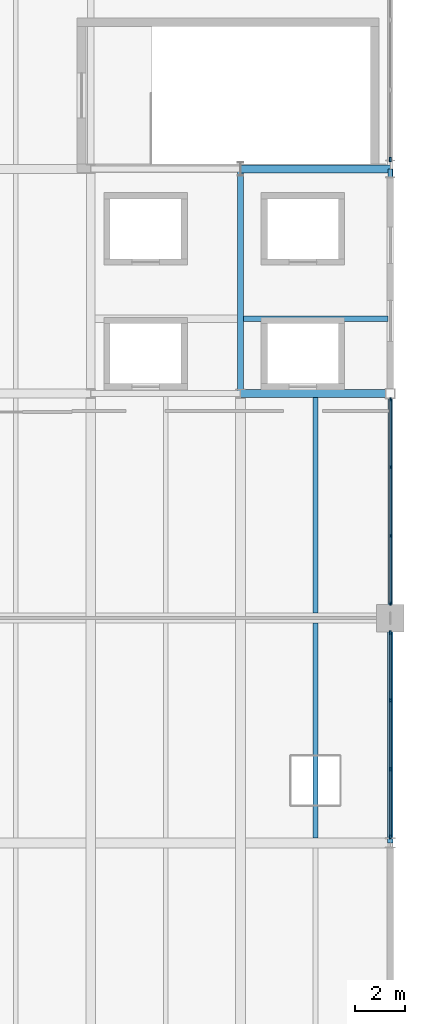
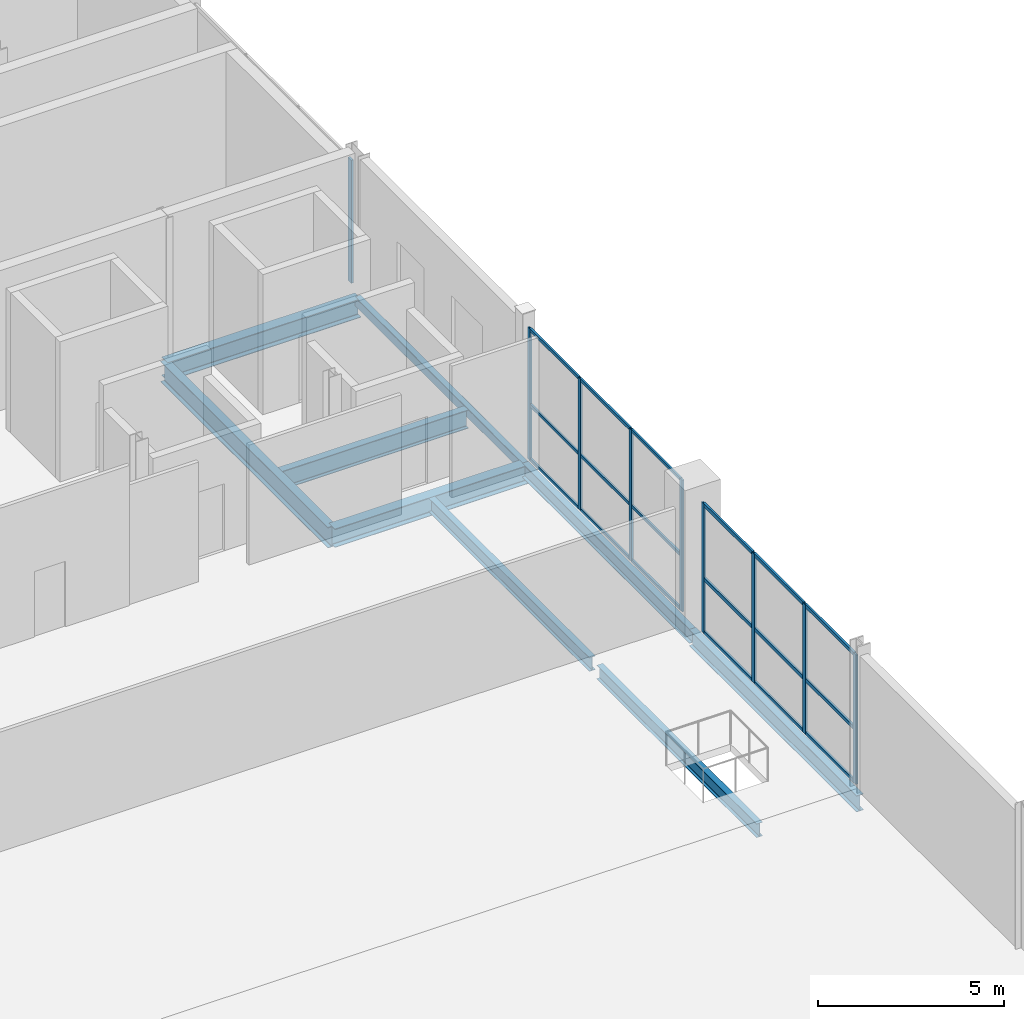
# One storey, part 16 of 29: 27 members, 9 beams, 3 elements without a shape of their own.
"""IFC4 building model written with IfcOpenShell, lengths in metres."""

from ifc_helpers import new_model, si_unit, direction, frame, origin, origin_2d, place, context, subcontext, project, spatial, rectangle, hollow_rectangle, i_section, extrude, material, layer, layer_set, material_profile, profile_set, type_object, element, aggregate, save


model = new_model("IFC4")

# Units and contexts
model_context = context("Model", 3, precision=1e-05, world=origin(), true_north=direction((0.0, 1.0)))
body_context = subcontext(model_context, "Body", "Model", "MODEL_VIEW")
ifc_project = project(units=[si_unit("LENGTHUNIT", "METRE"), si_unit("AREAUNIT", "SQUARE_METRE"), si_unit("VOLUMEUNIT", "CUBIC_METRE"), si_unit("PLANEANGLEUNIT", "RADIAN"), si_unit("MASSUNIT", "GRAM", prefix="KILO")], contexts=[model_context])

# Site, building, storey
site_placement = place(None, origin())
site = spatial("IfcSite", under=ifc_project, at=site_placement, CompositionType="ELEMENT")
building_placement = place(site_placement, origin())
building = spatial("IfcBuilding", under=site, at=building_placement, Name="Qamarlyn Nura Convention Centre", CompositionType="ELEMENT")
storey_placement = place(building_placement, frame((0.0, 0.0, 25.199951171875)))
storey = spatial("IfcBuildingStorey", under=building, at=storey_placement, Name="L05", CompositionType="ELEMENT", Elevation=25.199951171875)

# Beams
ifc_material_1 = material(Name="Steel ASTM A992", Category="steel")
ifc_material_profile_1 = material_profile(ifc_material_1, i_section(OverallWidth=0.323974609375, OverallDepth=0.611083984375, WebThickness=0.0126953125, FlangeThickness=0.01904296875, FilletRadius=0.01611328125, at=origin_2d()), Name="W610X155")
ifc_profile_set_1 = profile_set([ifc_material_profile_1], Name="Steel ASTM A992")
beam_type_1 = type_object("IfcBeamType", Name="BM-GIRD-610", PredefinedType="BEAM", material=ifc_profile_set_1)
for number, where, z_axis, x_axis, name in (
    (1, (186.0, 54.0, -0.54541015625), (1.0, 0.0, 0.0), (0.0, 1.0, 0.0), "L05 girder G 17-18"),
    (2, (186.0, 63.0, -0.54541015625), (1.0, 0.0, 0.0), (0.0, 1.0, 0.0), "L05 girder H 17-18"),
):
    element("IfcBeam", number, at=place(storey_placement, frame(where, z_axis=z_axis, x_axis=x_axis)), inside=storey, type_object=beam_type_1, Name=name, PredefinedType="BEAM", context=body_context, shape_type="SweptSolid", body=[
        extrude(i_section(OverallWidth=0.323974609375, OverallDepth=0.611083984375, WebThickness=0.0126953125, FlangeThickness=0.01904296875, FilletRadius=0.01611328125, at=origin_2d()), origin(), (0.0, 0.0, 1.0), 6.0),
    ])
ifc_material_profile_2 = material_profile(ifc_material_1, i_section(OverallWidth=0.25390625, OverallDepth=0.68408203125, WebThickness=0.012451171875, FlangeThickness=0.01904296875, FilletRadius=0.01806640625, at=origin_2d()), Name="W690X140")
ifc_profile_set_2 = profile_set([ifc_material_profile_2], Name="Steel ASTM A992")
beam_type_2 = type_object("IfcBeamType", Name="BM-GIRD-690B", PredefinedType="BEAM", material=ifc_profile_set_2)
beam_1_placement = place(storey_placement, frame((186.0, 54.0, -0.58203125), z_axis=(0.0, 1.0, 0.0), x_axis=(-1.0, 0.0, 0.0)))
element("IfcBeam", 3, at=beam_1_placement, inside=storey, type_object=beam_type_2, Name="L05 girder 17 G-H", PredefinedType="BEAM", context=body_context, shape_type="SweptSolid", body=[
    extrude(i_section(OverallWidth=0.25390625, OverallDepth=0.68408203125, WebThickness=0.012451171875, FlangeThickness=0.01904296875, FilletRadius=0.01806640625, at=origin_2d()), origin(), (0.0, 0.0, 1.0), 9.0),
])
ifc_material_profile_3 = material_profile(ifc_material_1, i_section(OverallWidth=0.18994140625, OverallDepth=0.45703125, WebThickness=0.009033203125, FlangeThickness=0.014404296875, FilletRadius=0.012939453125, at=origin_2d()), Name="W460X74")
ifc_profile_set_3 = profile_set([ifc_material_profile_3], Name="Steel ASTM A992")
beam_type_3 = type_object("IfcBeamType", Name="BM-JOIST-460", PredefinedType="JOIST", material=ifc_profile_set_3)
beam_2_placement = place(storey_placement, frame((189.0, 36.199951171875, -0.468505859375), z_axis=(0.0, 1.0, 0.0), x_axis=(-1.0, 0.0, 0.0)))
element("IfcBeam", 4, at=beam_2_placement, inside=storey, type_object=beam_type_3, Name="L05 secondary joist 17-18/E-F-35", PredefinedType="JOIST", context=body_context, shape_type="SweptSolid", body=[
    extrude(i_section(OverallWidth=0.18994140625, OverallDepth=0.45703125, WebThickness=0.009033203125, FlangeThickness=0.014404296875, FilletRadius=0.012939453125, at=origin_2d()), origin(), (0.0, 0.0, 1.0), 8.60009765625),
])
beam_3_placement = place(storey_placement, frame((189.0, 45.199951171875, -0.468505859375), z_axis=(0.0, 1.0, 0.0), x_axis=(-1.0, 0.0, 0.0)))
element("IfcBeam", 5, at=beam_3_placement, inside=storey, type_object=beam_type_3, Name="L05 secondary joist 17-18/F-G-36", PredefinedType="JOIST", context=body_context, shape_type="SweptSolid", body=[
    extrude(i_section(OverallWidth=0.18994140625, OverallDepth=0.45703125, WebThickness=0.009033203125, FlangeThickness=0.014404296875, FilletRadius=0.012939453125, at=origin_2d()), origin(), (0.0, 0.0, 1.0), 8.637939453125),
])
ifc_material_profile_4 = material_profile(ifc_material_1, i_section(OverallWidth=0.22802734375, OverallDepth=0.60791015625, WebThickness=0.01123046875, FlangeThickness=0.017333984375, FilletRadius=0.01611328125, at=origin_2d()), Name="W610X113")
ifc_profile_set_4 = profile_set([ifc_material_profile_4], Name="Steel ASTM A992")
beam_type_4 = type_object("IfcBeamType", Name="BM-JOIST-610", PredefinedType="JOIST", material=ifc_profile_set_4)
beam_4_placement = place(storey_placement, frame((186.126953125, 57.0, -0.5439453125), z_axis=(1.0, 0.0, 0.0), x_axis=(0.0, 1.0, 0.0)))
element("IfcBeam", 6, at=beam_4_placement, inside=storey, type_object=beam_type_4, Name="L05 composite joist 17-18/G+1", PredefinedType="JOIST", context=body_context, shape_type="SweptSolid", body=[
    extrude(i_section(OverallWidth=0.22802734375, OverallDepth=0.60791015625, WebThickness=0.01123046875, FlangeThickness=0.017333984375, FilletRadius=0.01611328125, at=origin_2d()), origin(), (0.0, 0.0, 1.0), 5.77294921875),
])
ifc_material_profile_5 = material_profile(ifc_material_1, i_section(OverallWidth=0.193115234375, OverallDepth=0.466064453125, WebThickness=0.011474609375, FlangeThickness=0.01904296875, FilletRadius=0.012939453125, at=origin_2d()), Name="W460X97")
ifc_profile_set_5 = profile_set([ifc_material_profile_5], Name="Steel ASTM A992")
beam_type_5 = type_object("IfcBeamType", Name="BM-SPAN-460", PredefinedType="SPANDREL", material=ifc_profile_set_5)
beam_5_placement = place(storey_placement, frame((192.0, 45.0, -0.472900390625), z_axis=(0.0, 1.0, 0.0), x_axis=(-1.0, 0.0, 0.0)))
element("IfcBeam", 7, at=beam_5_placement, inside=storey, type_object=beam_type_5, Name="L05 girder 18 F-G", PredefinedType="SPANDREL", context=body_context, shape_type="SweptSolid", body=[
    extrude(i_section(OverallWidth=0.193115234375, OverallDepth=0.466064453125, WebThickness=0.011474609375, FlangeThickness=0.01904296875, FilletRadius=0.012939453125, at=origin_2d()), origin(), (0.0, 0.0, 1.0), 9.0),
])
ifc_material_profile_6 = material_profile(ifc_material_1, i_section(OverallWidth=0.2109375, OverallDepth=0.5390625, WebThickness=0.01171875, FlangeThickness=0.018798828125, FilletRadius=0.013916015625, at=origin_2d()), Name="W530X109")
ifc_profile_set_6 = profile_set([ifc_material_profile_6], Name="Steel ASTM A992")
beam_type_6 = type_object("IfcBeamType", Name="BM-SPAN-530", PredefinedType="SPANDREL", material=ifc_profile_set_6)
beam_6_placement = place(storey_placement, frame((192.0, 36.0, -0.509521484375), z_axis=(0.0, 1.0, 0.0), x_axis=(-1.0, 0.0, 0.0)))
element("IfcBeam", 8, at=beam_6_placement, inside=storey, type_object=beam_type_6, Name="L05 girder 18 E-F", PredefinedType="SPANDREL", context=body_context, shape_type="SweptSolid", body=[
    extrude(i_section(OverallWidth=0.2109375, OverallDepth=0.5390625, WebThickness=0.01171875, FlangeThickness=0.018798828125, FilletRadius=0.013916015625, at=origin_2d()), origin(), (0.0, 0.0, 1.0), 9.0),
])
ifc_material_2 = material(Name="Steel ASTM A500 Grade C", Category="steel")
ifc_material_profile_7 = material_profile(ifc_material_2, hollow_rectangle(XDim=0.199951171875, YDim=0.300048828125, WallThickness=0.012451171875, InnerFilletRadius=0.012451171875, OuterFilletRadius=0.02490234375, at=origin_2d()), Name="HSS300X200X12.5")
ifc_profile_set_7 = profile_set([ifc_material_profile_7], Name="Steel ASTM A500 Grade C")
beam_type_7 = type_object("IfcBeamType", Name="BM-SPAN-HSS", PredefinedType="SPANDREL", material=ifc_profile_set_7)
beam_7_placement = place(storey_placement, frame((192.0, 54.0, -0.389892578125), z_axis=(0.0, 1.0, 0.0), x_axis=(-1.0, 0.0, 0.0)))
element("IfcBeam", 9, at=beam_7_placement, inside=storey, type_object=beam_type_7, Name="L05 girder 18 G-H", PredefinedType="SPANDREL", context=body_context, shape_type="SweptSolid", body=[
    extrude(hollow_rectangle(XDim=0.199951171875, YDim=0.300048828125, WallThickness=0.012451171875, InnerFilletRadius=0.012451171875, OuterFilletRadius=0.02490234375, at=origin_2d()), origin(), (0.0, 0.0, 1.0), 9.0),
])

# Curtain wall, members
ifc_material_3 = material(Name="Double-silver low-E insulated glass", Category="glass")
ifc_layer_1 = layer(ifc_material_3, 0.179931640625, Name="CW-UNIT-154")
ifc_layer_set_1 = layer_set([ifc_layer_1], Name="Double-silver low-E insulated glass")
curtain_wall_type_1 = type_object("IfcCurtainWallType", Name="CW-UNIT-154", PredefinedType="NOTDEFINED", material=ifc_layer_set_1)
curtain_wall_1_placement = place(storey_placement, origin())
curtain_wall_1 = element("IfcCurtainWall", 10, at=curtain_wall_1_placement, inside=storey, type_object=curtain_wall_type_1, Name="L05 unitised curtain wall EAST-6-1", PredefinedType="NOTDEFINED")
ifc_material_4 = material(Name="Champagne-anodised marine aluminium", Category="aluminium")
ifc_material_profile_8 = material_profile(ifc_material_4, rectangle(XDim=0.06005859375, YDim=0.139892578125, at=origin_2d()), Name="ALU MULLION 60x140")
ifc_profile_set_8 = profile_set([ifc_material_profile_8], Name="Champagne-anodised marine aluminium")
member_type_1 = type_object("IfcMemberType", Name="CWM-140", PredefinedType="MULLION", material=ifc_profile_set_8)
member_1_placement = place(storey_placement, frame((192.0, 53.77001953125, 0.0), z_axis=(0.0, 0.0, 1.0), x_axis=(1.0, 0.0, 0.0)))
member_1 = element("IfcMember", 11, at=member_1_placement, type_object=member_type_1, Name="CW154 mullion 1", PredefinedType="MULLION", context=body_context, shape_type="SweptSolid", body=[
    extrude(rectangle(XDim=0.06005859375, YDim=0.139892578125, at=origin_2d()), origin(), (0.0, 0.0, 1.0), 4.319091796875),
])
member_2_placement = place(storey_placement, frame((192.0, 51.050048828125, 0.0), z_axis=(0.0, 0.0, 1.0), x_axis=(1.0, 0.0, 0.0)))
member_2 = element("IfcMember", 12, at=member_2_placement, type_object=member_type_1, Name="CW154 mullion 2", PredefinedType="MULLION", context=body_context, shape_type="SweptSolid", body=[
    extrude(rectangle(XDim=0.06005859375, YDim=0.139892578125, at=origin_2d()), origin(), (0.0, 0.0, 1.0), 4.319091796875),
])
member_3_placement = place(storey_placement, frame((192.0, 48.300048828125, 0.0), z_axis=(0.0, 0.0, 1.0), x_axis=(1.0, 0.0, 0.0)))
member_3 = element("IfcMember", 13, at=member_3_placement, type_object=member_type_1, Name="CW154 mullion 3", PredefinedType="MULLION", context=body_context, shape_type="SweptSolid", body=[
    extrude(rectangle(XDim=0.06005859375, YDim=0.139892578125, at=origin_2d()), origin(), (0.0, 0.0, 1.0), 4.319091796875),
])
member_4_placement = place(storey_placement, frame((192.0, 45.580078125, 0.0), z_axis=(0.0, 0.0, 1.0), x_axis=(1.0, 0.0, 0.0)))
member_4 = element("IfcMember", 14, at=member_4_placement, type_object=member_type_1, Name="CW154 mullion 4", PredefinedType="MULLION", context=body_context, shape_type="SweptSolid", body=[
    extrude(rectangle(XDim=0.06005859375, YDim=0.139892578125, at=origin_2d()), origin(), (0.0, 0.0, 1.0), 4.319091796875),
])

ifc_layer_2 = layer(ifc_material_3, 0.179931640625, Name="CW-UNIT-152")
ifc_layer_set_2 = layer_set([ifc_layer_2], Name="Double-silver low-E insulated glass")
curtain_wall_type_2 = type_object("IfcCurtainWallType", Name="CW-UNIT-152", PredefinedType="NOTDEFINED", material=ifc_layer_set_2)
curtain_wall_2_placement = place(storey_placement, origin())
curtain_wall_2 = element("IfcCurtainWall", 15, at=curtain_wall_2_placement, inside=storey, type_object=curtain_wall_type_2, Name="L05 unitised curtain wall EAST-5-1", PredefinedType="NOTDEFINED")
ifc_material_profile_9 = material_profile(ifc_material_4, rectangle(XDim=0.06494140625, YDim=0.159912109375, at=origin_2d()), Name="ALU MULLION 65x160")
ifc_profile_set_9 = profile_set([ifc_material_profile_9], Name="Champagne-anodised marine aluminium")
member_type_2 = type_object("IfcMemberType", Name="CWM-160", PredefinedType="MULLION", material=ifc_profile_set_9)
member_5_placement = place(storey_placement, frame((192.0, 44.41748046875, 0.0), z_axis=(0.0, 0.0, 1.0), x_axis=(1.0, 0.0, 0.0)))
member_5 = element("IfcMember", 16, at=member_5_placement, type_object=member_type_2, Name="CW152 mullion 1", PredefinedType="MULLION", context=body_context, shape_type="SweptSolid", body=[
    extrude(rectangle(XDim=0.06494140625, YDim=0.159912109375, at=origin_2d()), origin(), (0.0, 0.0, 1.0), 4.24609375),
])
member_6_placement = place(storey_placement, frame((192.0, 41.7041015625, 0.0), z_axis=(0.0, 0.0, 1.0), x_axis=(1.0, 0.0, 0.0)))
member_6 = element("IfcMember", 17, at=member_6_placement, type_object=member_type_2, Name="CW152 mullion 2", PredefinedType="MULLION", context=body_context, shape_type="SweptSolid", body=[
    extrude(rectangle(XDim=0.06494140625, YDim=0.159912109375, at=origin_2d()), origin(), (0.0, 0.0, 1.0), 4.24609375),
])
member_7_placement = place(storey_placement, frame((192.0, 38.958251953125, 0.0), z_axis=(0.0, 0.0, 1.0), x_axis=(1.0, 0.0, 0.0)))
member_7 = element("IfcMember", 18, at=member_7_placement, type_object=member_type_2, Name="CW152 mullion 3", PredefinedType="MULLION", context=body_context, shape_type="SweptSolid", body=[
    extrude(rectangle(XDim=0.06494140625, YDim=0.159912109375, at=origin_2d()), origin(), (0.0, 0.0, 1.0), 4.24609375),
])
member_8_placement = place(storey_placement, frame((192.0, 36.2451171875, 0.0), z_axis=(0.0, 0.0, 1.0), x_axis=(1.0, 0.0, 0.0)))
member_8 = element("IfcMember", 19, at=member_8_placement, type_object=member_type_2, Name="CW152 mullion 4", PredefinedType="MULLION", context=body_context, shape_type="SweptSolid", body=[
    extrude(rectangle(XDim=0.06494140625, YDim=0.159912109375, at=origin_2d()), origin(), (0.0, 0.0, 1.0), 4.24609375),
])

# Curtain wall, member
ifc_layer_3 = layer(ifc_material_3, 0.179931640625, Name="CW-UNIT-95")
ifc_layer_set_3 = layer_set([ifc_layer_3], Name="Double-silver low-E insulated glass")
curtain_wall_type_3 = type_object("IfcCurtainWallType", Name="CW-UNIT-95", PredefinedType="NOTDEFINED", material=ifc_layer_set_3)
curtain_wall_3_placement = place(storey_placement, origin())
curtain_wall_3 = element("IfcCurtainWall", 20, at=curtain_wall_3_placement, inside=storey, type_object=curtain_wall_type_3, Name="L05 unitised curtain wall EAST-8-1", PredefinedType="NOTDEFINED")
ifc_material_profile_10 = material_profile(ifc_material_4, rectangle(XDim=0.070068359375, YDim=0.179931640625, at=origin_2d()), Name="ALU MULLION 70x180")
ifc_profile_set_10 = profile_set([ifc_material_profile_10], Name="Champagne-anodised marine aluminium")
member_type_3 = type_object("IfcMemberType", Name="CWM-180", PredefinedType="MULLION", material=ifc_profile_set_10)
member_9_placement = place(storey_placement, frame((192.0, 63.382568359375, 0.0), z_axis=(0.0, 0.0, 1.0), x_axis=(1.0, 0.0, 0.0)))
member_9 = element("IfcMember", 21, at=member_9_placement, type_object=member_type_3, Name="CW95 mullion 4", PredefinedType="MULLION", context=body_context, shape_type="SweptSolid", body=[
    extrude(rectangle(XDim=0.070068359375, YDim=0.179931640625, at=origin_2d()), origin(), (0.0, 0.0, 1.0), 4.041015625),
])
aggregate(curtain_wall_3, [member_9])

# Member
ifc_material_profile_11 = material_profile(ifc_material_4, rectangle(XDim=0.06005859375, YDim=0.10009765625, at=origin_2d()), Name="ALU TRANSOM 60x100")
ifc_profile_set_11 = profile_set([ifc_material_profile_11], Name="Champagne-anodised marine aluminium")
member_type_4 = type_object("IfcMemberType", Name="CWT-100", PredefinedType="USERDEFINED", material=ifc_profile_set_11)
member_10_placement = place(storey_placement, frame((192.0, 53.739990234375, 0.030029296875), z_axis=(0.0, -1.0, 0.0), x_axis=(1.0, 0.0, 0.0)))
member_10 = element("IfcMember", 22, at=member_10_placement, type_object=member_type_4, Name="CW154 transom 1.1", ObjectType="TRANSOM", PredefinedType="USERDEFINED", context=body_context, shape_type="SweptSolid", body=[
    extrude(rectangle(XDim=0.06005859375, YDim=0.10009765625, at=origin_2d()), origin(), (0.0, 0.0, 1.0), 2.659912109375),
])

member_11_placement = place(storey_placement, frame((192.0, 53.739990234375, 1.81396484375), z_axis=(0.0, -1.0, 0.0), x_axis=(1.0, 0.0, 0.0)))
member_11 = element("IfcMember", 23, at=member_11_placement, type_object=member_type_4, Name="CW154 transom 1.2", ObjectType="TRANSOM", PredefinedType="USERDEFINED", context=body_context, shape_type="SweptSolid", body=[
    extrude(rectangle(XDim=0.06005859375, YDim=0.10009765625, at=origin_2d()), origin(), (0.0, 0.0, 1.0), 2.659912109375),
])

member_12_placement = place(storey_placement, frame((192.0, 53.739990234375, 4.2890625), z_axis=(0.0, -1.0, 0.0), x_axis=(1.0, 0.0, 0.0)))
member_12 = element("IfcMember", 24, at=member_12_placement, type_object=member_type_4, Name="CW154 transom 1.3", ObjectType="TRANSOM", PredefinedType="USERDEFINED", context=body_context, shape_type="SweptSolid", body=[
    extrude(rectangle(XDim=0.06005859375, YDim=0.10009765625, at=origin_2d()), origin(), (0.0, 0.0, 1.0), 2.659912109375),
])

member_13_placement = place(storey_placement, frame((192.0, 51.02001953125, 0.030029296875), z_axis=(0.0, -1.0, 0.0), x_axis=(1.0, 0.0, 0.0)))
member_13 = element("IfcMember", 25, at=member_13_placement, type_object=member_type_4, Name="CW154 transom 2.1", ObjectType="TRANSOM", PredefinedType="USERDEFINED", context=body_context, shape_type="SweptSolid", body=[
    extrude(rectangle(XDim=0.06005859375, YDim=0.10009765625, at=origin_2d()), origin(), (0.0, 0.0, 1.0), 2.68994140625),
])

member_14_placement = place(storey_placement, frame((192.0, 51.02001953125, 1.81396484375), z_axis=(0.0, -1.0, 0.0), x_axis=(1.0, 0.0, 0.0)))
member_14 = element("IfcMember", 26, at=member_14_placement, type_object=member_type_4, Name="CW154 transom 2.2", ObjectType="TRANSOM", PredefinedType="USERDEFINED", context=body_context, shape_type="SweptSolid", body=[
    extrude(rectangle(XDim=0.06005859375, YDim=0.10009765625, at=origin_2d()), origin(), (0.0, 0.0, 1.0), 2.68994140625),
])

member_15_placement = place(storey_placement, frame((192.0, 51.02001953125, 4.2890625), z_axis=(0.0, -1.0, 0.0), x_axis=(1.0, 0.0, 0.0)))
member_15 = element("IfcMember", 27, at=member_15_placement, type_object=member_type_4, Name="CW154 transom 2.3", ObjectType="TRANSOM", PredefinedType="USERDEFINED", context=body_context, shape_type="SweptSolid", body=[
    extrude(rectangle(XDim=0.06005859375, YDim=0.10009765625, at=origin_2d()), origin(), (0.0, 0.0, 1.0), 2.68994140625),
])

member_16_placement = place(storey_placement, frame((192.0, 48.27001953125, 0.030029296875), z_axis=(0.0, -1.0, 0.0), x_axis=(1.0, 0.0, 0.0)))
member_16 = element("IfcMember", 28, at=member_16_placement, type_object=member_type_4, Name="CW154 transom 3.1", ObjectType="TRANSOM", PredefinedType="USERDEFINED", context=body_context, shape_type="SweptSolid", body=[
    extrude(rectangle(XDim=0.06005859375, YDim=0.10009765625, at=origin_2d()), origin(), (0.0, 0.0, 1.0), 2.659912109375),
])

member_17_placement = place(storey_placement, frame((192.0, 48.27001953125, 1.81396484375), z_axis=(0.0, -1.0, 0.0), x_axis=(1.0, 0.0, 0.0)))
member_17 = element("IfcMember", 29, at=member_17_placement, type_object=member_type_4, Name="CW154 transom 3.2", ObjectType="TRANSOM", PredefinedType="USERDEFINED", context=body_context, shape_type="SweptSolid", body=[
    extrude(rectangle(XDim=0.06005859375, YDim=0.10009765625, at=origin_2d()), origin(), (0.0, 0.0, 1.0), 2.659912109375),
])

member_18_placement = place(storey_placement, frame((192.0, 48.27001953125, 4.2890625), z_axis=(0.0, -1.0, 0.0), x_axis=(1.0, 0.0, 0.0)))
member_18 = element("IfcMember", 30, at=member_18_placement, type_object=member_type_4, Name="CW154 transom 3.3", ObjectType="TRANSOM", PredefinedType="USERDEFINED", context=body_context, shape_type="SweptSolid", body=[
    extrude(rectangle(XDim=0.06005859375, YDim=0.10009765625, at=origin_2d()), origin(), (0.0, 0.0, 1.0), 2.659912109375),
])

aggregate(curtain_wall_1, [member_1, member_2, member_3, member_4, member_10, member_11, member_12, member_13, member_14, member_15, member_16, member_17, member_18])

ifc_material_profile_12 = material_profile(ifc_material_4, rectangle(XDim=0.06494140625, YDim=0.1201171875, at=origin_2d()), Name="ALU TRANSOM 65x120")
ifc_profile_set_12 = profile_set([ifc_material_profile_12], Name="Champagne-anodised marine aluminium")
member_type_5 = type_object("IfcMemberType", Name="CWT-120", PredefinedType="USERDEFINED", material=ifc_profile_set_12)
member_19_placement = place(storey_placement, frame((192.0, 44.385009765625, 0.032470703125), z_axis=(0.0, -1.0, 0.0), x_axis=(1.0, 0.0, 0.0)))
member_19 = element("IfcMember", 31, at=member_19_placement, type_object=member_type_5, Name="CW152 transom 1.1", ObjectType="TRANSOM", PredefinedType="USERDEFINED", context=body_context, shape_type="SweptSolid", body=[
    extrude(rectangle(XDim=0.06494140625, YDim=0.1201171875, at=origin_2d()), origin(), (0.0, 0.0, 1.0), 2.6484375),
])

member_20_placement = place(storey_placement, frame((192.0, 44.385009765625, 1.782958984375), z_axis=(0.0, -1.0, 0.0), x_axis=(1.0, 0.0, 0.0)))
member_20 = element("IfcMember", 32, at=member_20_placement, type_object=member_type_5, Name="CW152 transom 1.2", ObjectType="TRANSOM", PredefinedType="USERDEFINED", context=body_context, shape_type="SweptSolid", body=[
    extrude(rectangle(XDim=0.06494140625, YDim=0.1201171875, at=origin_2d()), origin(), (0.0, 0.0, 1.0), 2.6484375),
])

member_21_placement = place(storey_placement, frame((192.0, 44.385009765625, 4.213623046875), z_axis=(0.0, -1.0, 0.0), x_axis=(1.0, 0.0, 0.0)))
member_21 = element("IfcMember", 33, at=member_21_placement, type_object=member_type_5, Name="CW152 transom 1.3", ObjectType="TRANSOM", PredefinedType="USERDEFINED", context=body_context, shape_type="SweptSolid", body=[
    extrude(rectangle(XDim=0.06494140625, YDim=0.1201171875, at=origin_2d()), origin(), (0.0, 0.0, 1.0), 2.6484375),
])

member_22_placement = place(storey_placement, frame((192.0, 41.671630859375, 0.032470703125), z_axis=(0.0, -1.0, 0.0), x_axis=(1.0, 0.0, 0.0)))
member_22 = element("IfcMember", 34, at=member_22_placement, type_object=member_type_5, Name="CW152 transom 2.1", ObjectType="TRANSOM", PredefinedType="USERDEFINED", context=body_context, shape_type="SweptSolid", body=[
    extrude(rectangle(XDim=0.06494140625, YDim=0.1201171875, at=origin_2d()), origin(), (0.0, 0.0, 1.0), 2.680908203125),
])

member_23_placement = place(storey_placement, frame((192.0, 41.671630859375, 1.782958984375), z_axis=(0.0, -1.0, 0.0), x_axis=(1.0, 0.0, 0.0)))
member_23 = element("IfcMember", 35, at=member_23_placement, type_object=member_type_5, Name="CW152 transom 2.2", ObjectType="TRANSOM", PredefinedType="USERDEFINED", context=body_context, shape_type="SweptSolid", body=[
    extrude(rectangle(XDim=0.06494140625, YDim=0.1201171875, at=origin_2d()), origin(), (0.0, 0.0, 1.0), 2.680908203125),
])

member_24_placement = place(storey_placement, frame((192.0, 41.671630859375, 4.213623046875), z_axis=(0.0, -1.0, 0.0), x_axis=(1.0, 0.0, 0.0)))
member_24 = element("IfcMember", 36, at=member_24_placement, type_object=member_type_5, Name="CW152 transom 2.3", ObjectType="TRANSOM", PredefinedType="USERDEFINED", context=body_context, shape_type="SweptSolid", body=[
    extrude(rectangle(XDim=0.06494140625, YDim=0.1201171875, at=origin_2d()), origin(), (0.0, 0.0, 1.0), 2.680908203125),
])

member_25_placement = place(storey_placement, frame((192.0, 38.92578125, 0.032470703125), z_axis=(0.0, -1.0, 0.0), x_axis=(1.0, 0.0, 0.0)))
member_25 = element("IfcMember", 37, at=member_25_placement, type_object=member_type_5, Name="CW152 transom 3.1", ObjectType="TRANSOM", PredefinedType="USERDEFINED", context=body_context, shape_type="SweptSolid", body=[
    extrude(rectangle(XDim=0.06494140625, YDim=0.1201171875, at=origin_2d()), origin(), (0.0, 0.0, 1.0), 2.648193359375),
])

member_26_placement = place(storey_placement, frame((192.0, 38.92578125, 1.782958984375), z_axis=(0.0, -1.0, 0.0), x_axis=(1.0, 0.0, 0.0)))
member_26 = element("IfcMember", 38, at=member_26_placement, type_object=member_type_5, Name="CW152 transom 3.2", ObjectType="TRANSOM", PredefinedType="USERDEFINED", context=body_context, shape_type="SweptSolid", body=[
    extrude(rectangle(XDim=0.06494140625, YDim=0.1201171875, at=origin_2d()), origin(), (0.0, 0.0, 1.0), 2.648193359375),
])

member_27_placement = place(storey_placement, frame((192.0, 38.92578125, 4.213623046875), z_axis=(0.0, -1.0, 0.0), x_axis=(1.0, 0.0, 0.0)))
member_27 = element("IfcMember", 39, at=member_27_placement, type_object=member_type_5, Name="CW152 transom 3.3", ObjectType="TRANSOM", PredefinedType="USERDEFINED", context=body_context, shape_type="SweptSolid", body=[
    extrude(rectangle(XDim=0.06494140625, YDim=0.1201171875, at=origin_2d()), origin(), (0.0, 0.0, 1.0), 2.648193359375),
])

aggregate(curtain_wall_2, [member_5, member_6, member_7, member_8, member_19, member_20, member_21, member_22, member_23, member_24, member_25, member_26, member_27])

save(model, "model.ifc")
